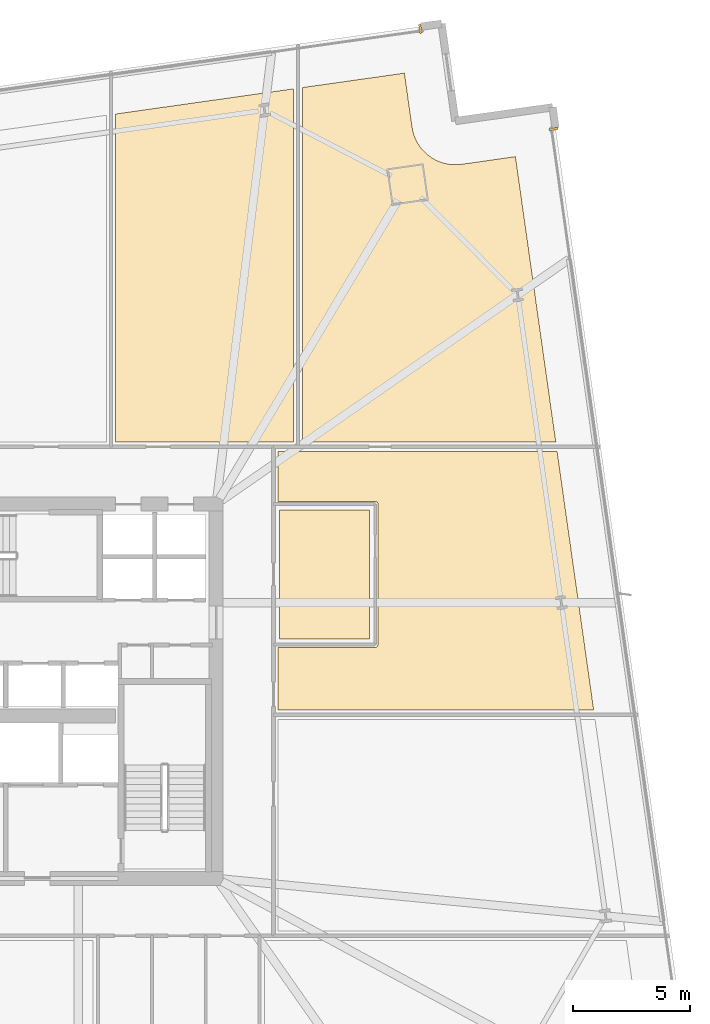
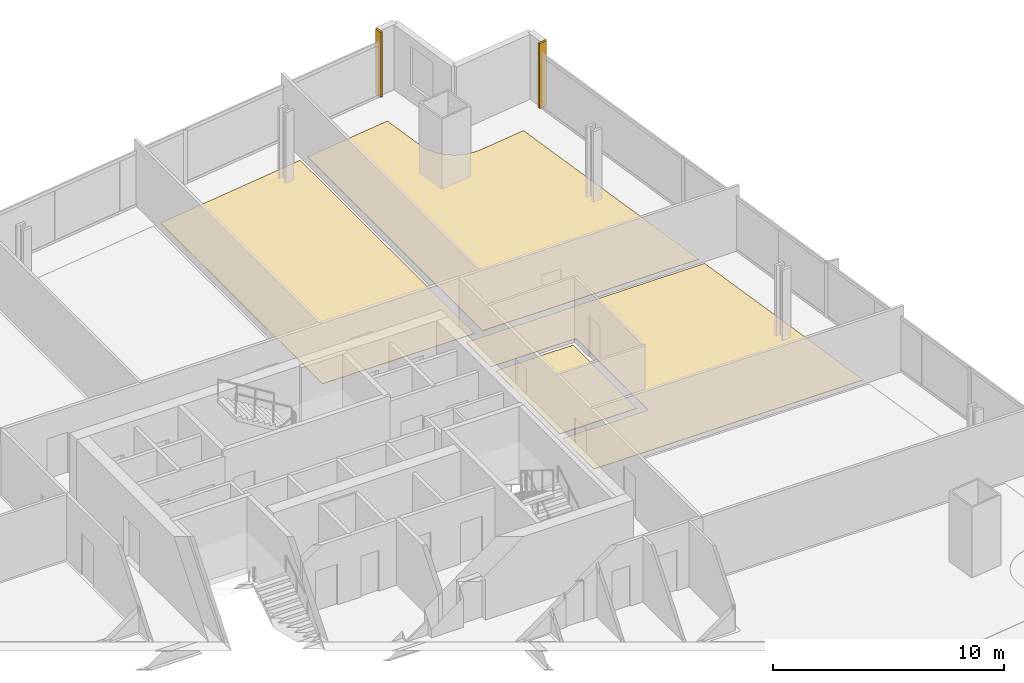
# One storey, part 33 of 33: 6 coverings.
"""IFC4 building model written with IfcOpenShell, lengths in metres."""

from ifc_helpers import new_model, si_unit, direction, frame, origin, origin_2d, place, context, subcontext, project, spatial, polyline, rectangle, outline, extrude, source, transform, mapped, material, layer, layer_set, type_object, element, save


model = new_model("IFC4")

# Units and contexts
model_context = context("Model", 3, precision=1e-05, world=origin(), true_north=direction((0.0, 1.0)))
body_context = subcontext(model_context, "Body", "Model", "MODEL_VIEW")
ifc_project = project(units=[si_unit("LENGTHUNIT", "METRE"), si_unit("AREAUNIT", "SQUARE_METRE"), si_unit("VOLUMEUNIT", "CUBIC_METRE"), si_unit("PLANEANGLEUNIT", "RADIAN"), si_unit("MASSUNIT", "GRAM", prefix="KILO")], contexts=[model_context])

# Site, building, storey
site_placement = place(None, origin())
site = spatial("IfcSite", under=ifc_project, at=site_placement, CompositionType="ELEMENT")
building_placement = place(site_placement, origin())
building = spatial("IfcBuilding", under=site, at=building_placement, Name="Haldenkirk Collegiate Tower", CompositionType="ELEMENT")
storey_placement = place(building_placement, frame((0.0, 0.0, 55.199951171875)))
storey = spatial("IfcBuildingStorey", under=building, at=storey_placement, Name="L12", CompositionType="ELEMENT", Elevation=55.199951171875)

# Coverings
ifc_material_1 = material(Name="Polished collegiate terrazzo", Category="concrete")
ifc_layer_1 = layer(ifc_material_1, 0.02490234375)
ifc_layer_set_1 = layer_set([ifc_layer_1], Name="Polished collegiate terrazzo")
covering_type_1 = type_object("IfcCoveringType", Name="COV-FLOOR-TERRAZZO", PredefinedType="FLOORING", material=ifc_layer_set_1)
covering_1_placement = place(storey_placement, origin())
element("IfcCovering", 1, at=covering_1_placement, inside=storey, type_object=covering_type_1, Name="L12 academic room finish 08", PredefinedType="FLOORING", context=body_context, shape_type="SweptSolid", body=[
    extrude(outline(polyline([(53.047119140625, 52.427734375), (53.373291015625, 50.12060546875), (53.37451171875, 50.11474609375), (53.40673828125, 49.9462890625), (53.409423828125, 49.934814453125), (53.458251953125, 49.77001953125), (53.462158203125, 49.759033203125), (53.52685546875, 49.599853515625), (53.53173828125, 49.589111328125), (53.61181640625, 49.437255859375), (53.61767578125, 49.427001953125), (53.712158203125, 49.28369140625), (53.718994140625, 49.274169921875), (53.8271484375, 49.140625), (53.8349609375, 49.1318359375), (53.95556640625, 49.009521484375), (53.96435546875, 49.00146484375), (54.09619140625, 48.8916015625), (54.105712890625, 48.884765625), (54.247802734375, 48.788330078125), (54.2578125, 48.7822265625), (54.40869140625, 48.7001953125), (54.41943359375, 48.695068359375), (54.57763671875, 48.62841796875), (54.588623046875, 48.624267578125), (54.752685546875, 48.5732421875), (54.76416015625, 48.5703125), (54.932373046875, 48.53564453125), (54.94384765625, 48.533935546875), (55.11474609375, 48.515869140625), (55.12646484375, 48.51513671875), (55.298095703125, 48.51416015625), (55.309814453125, 48.5146484375), (55.48095703125, 48.5302734375), (55.48681640625, 48.531005859375), (57.7939453125, 48.857177734375), (59.520263671875, 36.64990234375), (48.699951171875, 36.64990234375), (48.699951171875, 51.81298828125), (53.047119140625, 52.427734375)])), origin(), (0.0, 0.0, 1.0), 0.025146484375),
])
ifc_material_2 = material(Name="Engineered collegiate oak acoustic flooring", Category="wood")
ifc_layer_2 = layer(ifc_material_2, 0.02197265625)
ifc_layer_set_2 = layer_set([ifc_layer_2], Name="Engineered collegiate oak acoustic flooring")
covering_type_2 = type_object("IfcCoveringType", Name="COV-FLOOR-TIMBER", PredefinedType="FLOORING", material=ifc_layer_set_2)
covering_2_placement = place(storey_placement, origin())
element("IfcCovering", 2, at=covering_2_placement, inside=storey, type_object=covering_type_2, Name="L12 academic room finish 01", PredefinedType="FLOORING", context=body_context, shape_type="SweptSolid", body=[
    extrude(outline(polyline([(47.699951171875, 28.239990234375), (47.699951171875, 33.760009765625), (51.56005859375, 33.760009765625), (51.56005859375, 28.239990234375), (47.699951171875, 28.239990234375)])), origin(), (0.0, 0.0, 1.0), 0.02197265625),
])
covering_3_placement = place(storey_placement, origin())
element("IfcCovering", 3, at=covering_3_placement, inside=storey, type_object=covering_type_2, Name="L12 academic room finish 07", PredefinedType="FLOORING", context=body_context, shape_type="SweptSolid", body=[
    extrude(outline(polyline([(48.300048828125, 51.756103515625), (48.300048828125, 36.64990234375), (40.699951171875, 36.64990234375), (40.699951171875, 50.681396484375), (48.300048828125, 51.756103515625)])), origin(), (0.0, 0.0, 1.0), 0.02197265625),
])
covering_4_placement = place(storey_placement, origin())
element("IfcCovering", 4, at=covering_4_placement, inside=storey, type_object=covering_type_2, Name="L12 academic room finish 13", PredefinedType="FLOORING", context=body_context, shape_type="SweptSolid", body=[
    extrude(outline(polyline([(51.800048828125, 27.8798828125), (51.811767578125, 27.880615234375), (51.823486328125, 27.88232421875), (51.834716796875, 27.88525390625), (51.845947265625, 27.88916015625), (51.856689453125, 27.894287109375), (51.86669921875, 27.900146484375), (51.876220703125, 27.9072265625), (51.885009765625, 27.9150390625), (51.892822265625, 27.923828125), (51.89990234375, 27.933349609375), (51.90576171875, 27.943359375), (51.910888671875, 27.9541015625), (51.914794921875, 27.965087890625), (51.917724609375, 27.9765625), (51.91943359375, 27.98828125), (51.919921875, 28.0), (51.919921875, 34.0), (51.91943359375, 34.01171875), (51.917724609375, 34.0234375), (51.914794921875, 34.034912109375), (51.910888671875, 34.0458984375), (51.90576171875, 34.056640625), (51.89990234375, 34.066650390625), (51.892822265625, 34.076171875), (51.885009765625, 34.0849609375), (51.876220703125, 34.0927734375), (51.86669921875, 34.099853515625), (51.856689453125, 34.105712890625), (51.845947265625, 34.11083984375), (51.834716796875, 34.11474609375), (51.823486328125, 34.11767578125), (51.811767578125, 34.119384765625), (51.800048828125, 34.1201171875), (47.64990234375, 34.1201171875), (47.64990234375, 36.25), (59.576904296875, 36.25), (61.1396484375, 25.199951171875), (47.64990234375, 25.199951171875), (47.64990234375, 27.8798828125), (51.800048828125, 27.8798828125)])), origin(), (0.0, 0.0, 1.0), 0.02197265625),
])
ifc_material_3 = material(Name="Anodised architectural bronze aluminium", Category="aluminium")
ifc_layer_3 = layer(ifc_material_3, 0.06005859375)
ifc_layer_set_3 = layer_set([ifc_layer_3], Name="Anodised architectural bronze aluminium")
covering_type_3 = type_object("IfcCoveringType", Name="COV-CLAD-BRONZE-60", PredefinedType="CLADDING", material=ifc_layer_set_3)
shared_shape = source(origin(), body_context, "Body", "SweptSolid", [
    extrude(rectangle(XDim=0.10009765625, YDim=0.3798828125, at=origin_2d()), origin(), (0.0, 0.0, 1.0), 3.43994140625),
])
for number, where, z_axis, x_axis, name in (
    (5, (59.4248046875, 50.037109375, 0.0), (0.0, 0.0, 1.0), (0.140037219771, -0.990146240249, 0.0), "L12 recessed curtain-wall bronze jamb closure EJL"),
    (6, (53.728515625, 54.32177734375, 0.0), (0.0, 0.0, 1.0), (0.990146240249, 0.140037219771, 0.0), "L12 recessed curtain-wall bronze jamb closure NJR"),
):
    element("IfcCovering", number, at=place(storey_placement, frame(where, z_axis=z_axis, x_axis=x_axis)), inside=storey, type_object=covering_type_3, Name=name, PredefinedType="CLADDING", context=body_context, shape_type="MappedRepresentation", body=[
        mapped(shared_shape, transform((0.0, 0.0, 0.0), x_axis=(1.0, 0.0, 0.0), y_axis=(0.0, 1.0, 0.0), z_axis=(0.0, 0.0, 1.0), scale=1.0)),
    ])

save(model, "model.ifc")
